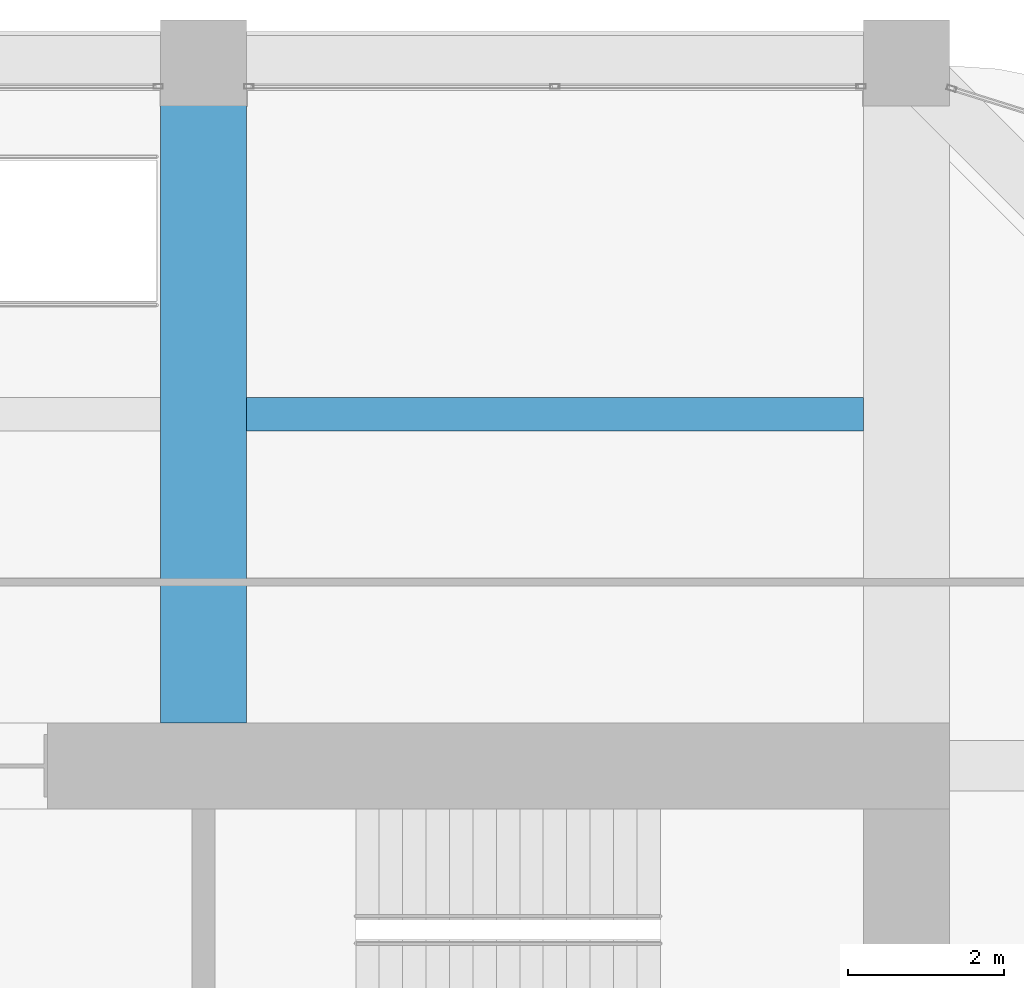
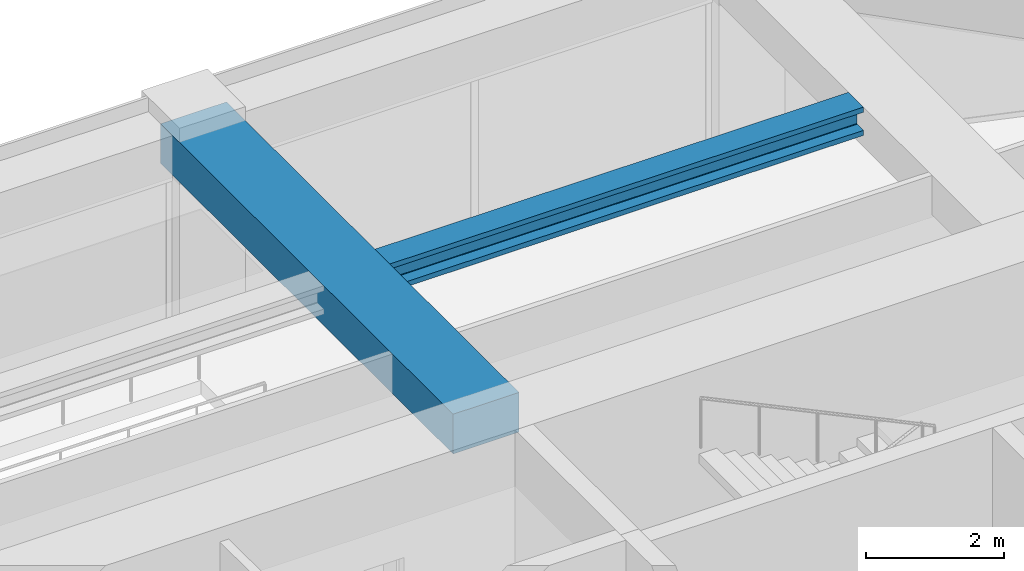
# One storey, part 34 of 44: 2 beams.
"""IFC4 building model written with IfcOpenShell, lengths in metres."""

from ifc_helpers import new_model, si_unit, direction, frame, origin, origin_2d, place, context, subcontext, project, spatial, rectangle, i_section, extrude, material, material_profile, profile_set, type_object, element, save


model = new_model("IFC4")

# Units and contexts
model_context = context("Model", 3, precision=1e-05, world=origin(), true_north=direction((0.0, 1.0)))
body_context = subcontext(model_context, "Body", "Model", "MODEL_VIEW")
ifc_project = project(units=[si_unit("LENGTHUNIT", "METRE"), si_unit("AREAUNIT", "SQUARE_METRE"), si_unit("VOLUMEUNIT", "CUBIC_METRE"), si_unit("PLANEANGLEUNIT", "RADIAN"), si_unit("MASSUNIT", "GRAM", prefix="KILO")], contexts=[model_context])

# Site, building, storey
site_placement = place(None, origin())
site = spatial("IfcSite", under=ifc_project, at=site_placement, CompositionType="ELEMENT")
building_placement = place(site_placement, origin())
building = spatial("IfcBuilding", under=site, at=building_placement, Name="Zorevar Civic Tower", CompositionType="ELEMENT")
storey_placement = place(building_placement, frame((0.0, 0.0, 295.39990234375)))
storey = spatial("IfcBuildingStorey", under=building, at=storey_placement, Name="L72", CompositionType="ELEMENT", Elevation=295.39990234375)

# Beams
ifc_material_1 = material(Name="Concrete C50/60", Category="concrete")
ifc_material_profile_1 = material_profile(ifc_material_1, rectangle(XDim=1.10009765625, YDim=0.699951171875, at=origin_2d()), Name="RC 1100x700")
ifc_profile_set_1 = profile_set([ifc_material_profile_1], Name="Concrete C50/60")
beam_type_1 = type_object("IfcBeamType", Name="Beam RC 1100x700", PredefinedType="BEAM", material=ifc_profile_set_1)
beam_1_placement = place(storey_placement, frame((36.0, 36.550048828125, 3.400146484375), z_axis=(0.0, 1.0, 0.0), x_axis=(-1.0, 0.0, 0.0)))
element("IfcBeam", 1, at=beam_1_placement, inside=storey, type_object=beam_type_1, Name="Girder L73", PredefinedType="BEAM", context=body_context, shape_type="SweptSolid", body=[
    extrude(rectangle(XDim=1.10009765625, YDim=0.699951171875, at=origin_2d()), origin(), (0.0, 0.0, 1.0), 8.449951171875),
])
ifc_material_2 = material(Name="Steel S460M (HISTAR 460)", Category="steel")
ifc_material_profile_2 = material_profile(ifc_material_2, i_section(OverallWidth=0.431884765625, OverallDepth=0.498046875, WebThickness=0.0556640625, FlangeThickness=0.0888671875, FilletRadius=0.014892578125, at=origin_2d()), Name="HD 400x744")
ifc_profile_set_2 = profile_set([ifc_material_profile_2], Name="Steel S460M (HISTAR 460)")
beam_type_2 = type_object("IfcBeamType", Name="Core bay beam HD 400x744", PredefinedType="BEAM", material=ifc_profile_set_2)
beam_2_placement = place(storey_placement, frame((36.550048828125, 40.5, 3.5009765625), z_axis=(1.0, 0.0, 0.0), x_axis=(0.0, 1.0, 0.0)))
element("IfcBeam", 2, at=beam_2_placement, inside=storey, type_object=beam_type_2, Name="Secondary beam L73", PredefinedType="BEAM", context=body_context, shape_type="SweptSolid", body=[
    extrude(i_section(OverallWidth=0.431884765625, OverallDepth=0.498046875, WebThickness=0.0556640625, FlangeThickness=0.0888671875, FilletRadius=0.014892578125, at=origin_2d()), origin(), (0.0, 0.0, 1.0), 7.89990234375),
])

save(model, "model.ifc")
